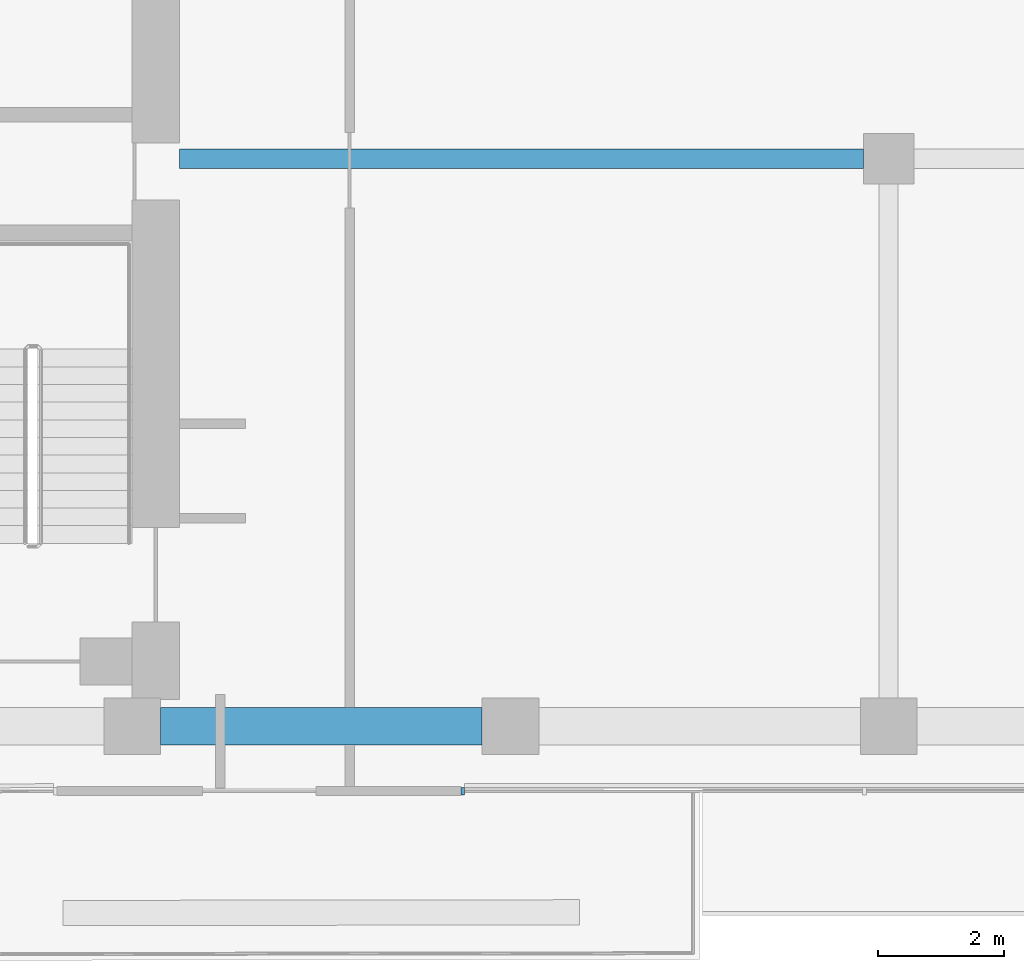
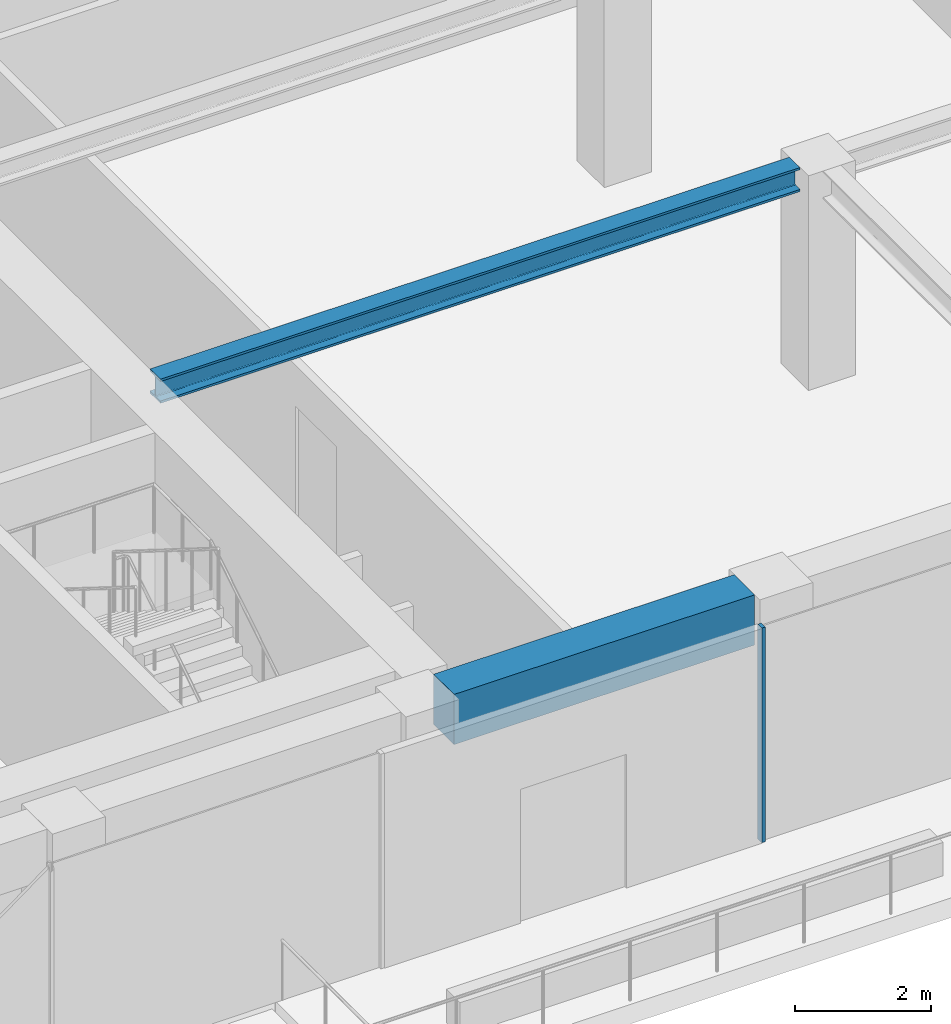
# One storey, part 3 of 21: 2 beams, 1 member, 1 element without a shape of its own.
"""IFC4 building model written with IfcOpenShell, lengths in metres."""

from ifc_helpers import new_model, si_unit, direction, frame, origin, origin_2d, place, context, subcontext, project, spatial, rectangle, i_section, extrude, material, layer, layer_set, material_profile, profile_set, type_object, element, aggregate, save


model = new_model("IFC4")

# Units and contexts
model_context = context("Model", 3, precision=1e-05, world=origin(), true_north=direction((0.0, 1.0)))
body_context = subcontext(model_context, "Body", "Model", "MODEL_VIEW")
ifc_project = project(units=[si_unit("LENGTHUNIT", "METRE"), si_unit("AREAUNIT", "SQUARE_METRE"), si_unit("VOLUMEUNIT", "CUBIC_METRE"), si_unit("PLANEANGLEUNIT", "RADIAN"), si_unit("MASSUNIT", "GRAM", prefix="KILO")], contexts=[model_context])

# Site, building, storey
site_placement = place(None, origin())
site = spatial("IfcSite", under=ifc_project, at=site_placement, CompositionType="ELEMENT")
building_placement = place(site_placement, origin())
building = spatial("IfcBuilding", under=site, at=building_placement, Name="Welwitschia Terrace Campus", CompositionType="ELEMENT")
storey_placement = place(building_placement, frame((0.0, 0.0, 108.800048828125)))
storey = spatial("IfcBuildingStorey", under=building, at=storey_placement, Name="L24", CompositionType="ELEMENT", Elevation=108.800048828125)

# Beam
ifc_material_1 = material(Name="Steel S355", Category="steel")
ifc_material_profile_1 = material_profile(ifc_material_1, i_section(OverallWidth=0.306884765625, OverallDepth=0.431884765625, WebThickness=0.02099609375, FlangeThickness=0.0400390625, FilletRadius=0.027099609375, at=origin_2d()))
ifc_profile_set_1 = profile_set([ifc_material_profile_1], Name="Steel S355")
beam_type_1 = type_object("IfcBeamType", Name="Interior girder HE 400 M", PredefinedType="BEAM", material=ifc_profile_set_1)
beam_1_placement = place(storey_placement, frame((24.7509765625, 13.0, 3.634033203125), z_axis=(1.0, 0.0, 0.0), x_axis=(0.0, 1.0, 0.0)))
element("IfcBeam", 1, at=beam_1_placement, inside=storey, type_object=beam_type_1, Name="Girder GB3", PredefinedType="BEAM", context=body_context, shape_type="SweptSolid", body=[
    extrude(i_section(OverallWidth=0.306884765625, OverallDepth=0.431884765625, WebThickness=0.02099609375, FlangeThickness=0.0400390625, FilletRadius=0.027099609375, at=origin_2d()), origin(), (0.0, 0.0, 1.0), 10.8486328125),
])

# Curtain wall, member
ifc_material_2 = material(Name="Bronze anodised aluminium", Category="aluminium")
ifc_layer = layer(ifc_material_2, 0.1201171875)
ifc_layer_set = layer_set([ifc_layer], Name="Bronze anodised aluminium")
curtain_wall_type = type_object("IfcCurtainWallType", Name="Curtain wall CW2 tower 6000", PredefinedType="NOTDEFINED", material=ifc_layer_set)
curtain_wall_placement = place(storey_placement, origin())
curtain_wall = element("IfcCurtainWall", 2, at=curtain_wall_placement, inside=storey, type_object=curtain_wall_type, Name="CW L24.4.1", PredefinedType="NOTDEFINED")
ifc_material_3 = material(Name="Bronze anodised aluminium", Category="aluminium")
ifc_material_profile_2 = material_profile(ifc_material_3, rectangle(XDim=0.1201171875, YDim=0.06005859375, at=origin_2d()))
ifc_profile_set_2 = profile_set([ifc_material_profile_2], Name="Bronze anodised aluminium")
member_type = type_object("IfcMemberType", Name="Mullion 60x120", PredefinedType="MULLION", material=ifc_profile_set_2)
member_placement = place(storey_placement, frame((29.24462890625, 2.969970703125, 0.0), z_axis=(0.0, 0.0, 1.0), x_axis=(0.0, 1.0, 0.0)))
member = element("IfcMember", 3, at=member_placement, type_object=member_type, Name="Mullion L24.4.1.0", PredefinedType="MULLION", context=body_context, shape_type="SweptSolid", body=[
    extrude(rectangle(XDim=0.1201171875, YDim=0.06005859375, at=origin_2d()), origin(), (0.0, 0.0, 1.0), 3.849853515625),
])
aggregate(curtain_wall, [member])

# Beam
ifc_material_4 = material(Name="Concrete C60/75", Category="concrete")
ifc_material_profile_3 = material_profile(ifc_material_4, rectangle(XDim=0.60009765625, YDim=0.89990234375, at=origin_2d()))
ifc_profile_set_3 = profile_set([ifc_material_profile_3], Name="Concrete C60/75")
beam_type_2 = type_object("IfcBeamType", Name="Ring spandrel 600x900", PredefinedType="SPANDREL", material=ifc_profile_set_3)
beam_2_placement = place(storey_placement, frame((24.450439453125, 4.0, 3.39990234375), z_axis=(1.0, 0.0, 0.0), x_axis=(0.0, 1.0, 0.0)))
element("IfcBeam", 4, at=beam_2_placement, inside=storey, type_object=beam_type_2, Name="Spandrel SP2", PredefinedType="SPANDREL", context=body_context, shape_type="SweptSolid", body=[
    extrude(rectangle(XDim=0.60009765625, YDim=0.89990234375, at=origin_2d()), origin(), (0.0, 0.0, 1.0), 5.09912109375),
])

save(model, "model.ifc")
